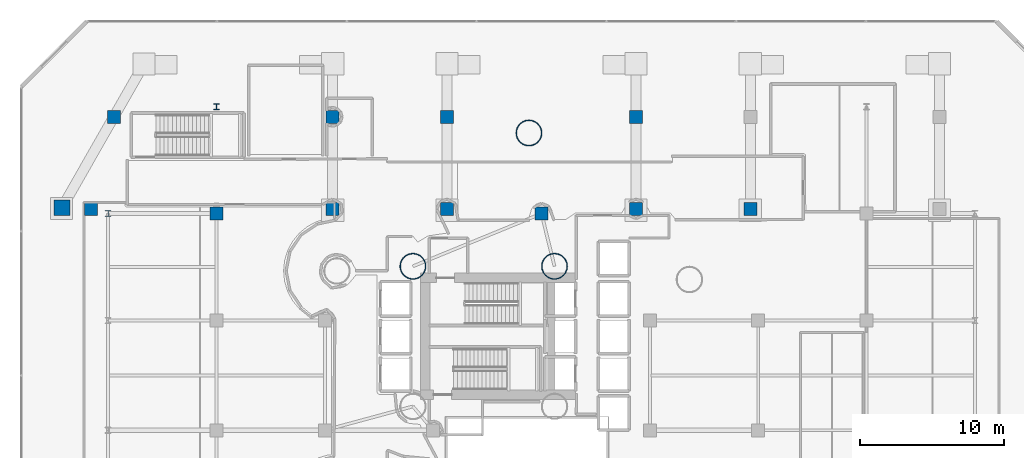
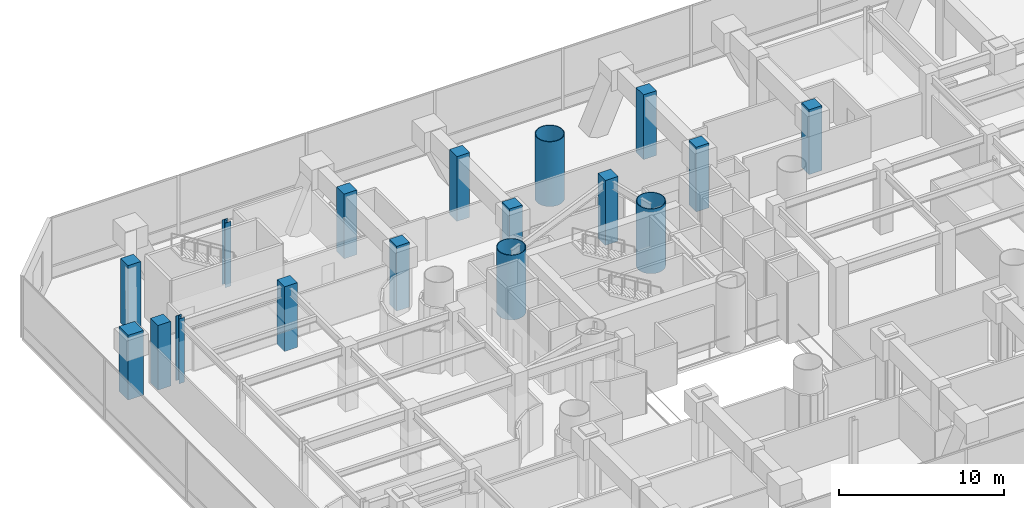
# One storey, part 3 of 45: 17 columns.
"""IFC4 building model written with IfcOpenShell, lengths in metres."""

from ifc_helpers import new_model, si_unit, direction, frame, origin, origin_2d, place, context, subcontext, project, spatial, rectangle, hollow_circle, i_section, extrude, material, material_profile, profile_set, type_object, element, save


model = new_model("IFC4")

# Units and contexts
model_context = context("Model", 3, precision=1e-05, world=origin(), true_north=direction((0.0, 1.0)))
body_context = subcontext(model_context, "Body", "Model", "MODEL_VIEW")
ifc_project = project(units=[si_unit("LENGTHUNIT", "METRE"), si_unit("AREAUNIT", "SQUARE_METRE"), si_unit("VOLUMEUNIT", "CUBIC_METRE"), si_unit("PLANEANGLEUNIT", "RADIAN"), si_unit("MASSUNIT", "GRAM", prefix="KILO")], contexts=[model_context])

# Site, building, storey
site_placement = place(None, origin())
site = spatial("IfcSite", under=ifc_project, at=site_placement, CompositionType="ELEMENT")
building_placement = place(site_placement, origin())
building = spatial("IfcBuilding", under=site, at=building_placement, Name="Qianvela Tower", CompositionType="ELEMENT")
storey_placement = place(building_placement, frame((0.0, 0.0, 11.0)))
storey = spatial("IfcBuildingStorey", under=building, at=storey_placement, Name="L02", CompositionType="ELEMENT", Elevation=11.0)

# Columns
ifc_material_1 = material(Name="Steel Q420GJC", Category="steel")
ifc_material_profile_1 = material_profile(ifc_material_1, hollow_circle(Radius=0.89990234375, WallThickness=0.044921875, at=origin_2d()), Name="CFT-1800x45")
ifc_profile_set_1 = profile_set([ifc_material_profile_1], Name="Steel Q420GJC")
column_type_1 = type_object("IfcColumnType", Name="COL-CFT-1800x45", PredefinedType="COLUMN", material=ifc_profile_set_1)
for number, where, z_axis, x_axis, name in (
    (1, (28.60009765625, 33.550048828125, 0.0), (0.0, 0.0, 1.0), (1.0, 0.0, 0.0), "L02 Core Corner Mega-Column CC-NW"),
    (2, (38.39990234375, 33.550048828125, 0.0), (0.0, 0.0, 1.0), (1.0, 0.0, 0.0), "L02 Core Corner Mega-Column CC-NE"),
    (3, (36.632080078125, 42.778076171875, 0.0), (0.0, 0.0, 1.0), (1.0, 0.0, 0.0), "L02 Tower Base CFT Mega-Column C3"),
):
    element("IfcColumn", number, at=place(storey_placement, frame(where, z_axis=z_axis, x_axis=x_axis)), inside=storey, type_object=column_type_1, Name=name, PredefinedType="COLUMN", context=body_context, shape_type="SweptSolid", body=[
        extrude(hollow_circle(Radius=0.89990234375, WallThickness=0.044921875, at=origin_2d()), origin(), (0.0, 0.0, 1.0), 4.800048828125),
    ])
ifc_material_2 = material(Name="Steel Q355B", Category="steel")
ifc_material_profile_2 = material_profile(ifc_material_2, i_section(OverallWidth=0.39990234375, OverallDepth=0.39990234375, WebThickness=0.012939453125, FlangeThickness=0.02099609375, at=origin_2d()), Name="HW400x400x13x21")
ifc_profile_set_2 = profile_set([ifc_material_profile_2], Name="Steel Q355B")
column_type_2 = type_object("IfcColumnType", Name="COL-HW-400", PredefinedType="COLUMN", material=ifc_profile_set_2)
for number, where, z_axis, x_axis, name in (
    (4, (7.5, 37.199951171875, 0.0), (0.0, 0.0, 1.0), (1.0, 0.0, 0.0), "L02 Podium Grid Column P04"),
    (5, (15.0, 44.60009765625, 0.0), (0.0, 0.0, 1.0), (1.0, 0.0, 0.0), "L02 Podium Grid Column P10"),
):
    element("IfcColumn", number, at=place(storey_placement, frame(where, z_axis=z_axis, x_axis=x_axis)), inside=storey, type_object=column_type_2, Name=name, PredefinedType="COLUMN", context=body_context, shape_type="SweptSolid", body=[
        extrude(i_section(OverallWidth=0.39990234375, OverallDepth=0.39990234375, WebThickness=0.012939453125, FlangeThickness=0.02099609375, at=origin_2d()), origin(), (0.0, 0.0, 1.0), 4.800048828125),
    ])
ifc_material_3 = material(Name="Concrete C60", Category="concrete")
ifc_material_profile_3 = material_profile(ifc_material_3, rectangle(XDim=1.10009765625, YDim=1.10009765625, at=origin_2d()), Name="RC-COL-1100x1100")
ifc_profile_set_3 = profile_set([ifc_material_profile_3], Name="Concrete C60")
column_type_3 = type_object("IfcColumnType", Name="COL-RC-1100", PredefinedType="COLUMN", material=ifc_profile_set_3)
column_placement = place(storey_placement, frame((4.302978515625, 37.60009765625, 0.0), z_axis=(0.0, 0.0, 1.0), x_axis=(1.0, 0.0, 0.0)))
element("IfcColumn", 6, at=column_placement, inside=storey, type_object=column_type_3, Name="L02 Concourse Back-Anchor Column VC-N1-L", PredefinedType="COLUMN", context=body_context, shape_type="SweptSolid", body=[
    extrude(rectangle(XDim=1.10009765625, YDim=1.10009765625, at=origin_2d()), origin(), (0.0, 0.0, 1.0), 4.800048828125),
])
ifc_material_4 = material(Name="Concrete C60", Category="concrete")
ifc_material_profile_4 = material_profile(ifc_material_4, rectangle(XDim=0.89990234375, YDim=0.89990234375, at=origin_2d()), Name="RC-COL-900x900")
ifc_profile_set_4 = profile_set([ifc_material_profile_4], Name="Concrete C60")
column_type_4 = type_object("IfcColumnType", Name="COL-RC-900", PredefinedType="COLUMN", material=ifc_profile_set_4)
for number, where, z_axis, x_axis, name in (
    (7, (7.89990234375, 43.89990234375, 0.0), (0.0, 0.0, 1.0), (1.0, 0.0, 0.0), "L02 Concourse Colonnade Column VC-N1-L-B1"),
    (8, (6.300048828125, 37.5, 0.0), (0.0, 0.0, 1.0), (1.0, 0.0, 0.0), "L02 Concourse Colonnade Column VC-N1-L-B2"),
    (9, (23.044677734375, 43.89990234375, 0.0), (0.0, 0.0, 1.0), (1.0, 0.0, 0.0), "L02 Concourse Colonnade Column VC-N1-R-B1"),
    (10, (23.044677734375, 37.5, 0.0), (0.0, 0.0, 1.0), (1.0, 0.0, 0.0), "L02 Concourse Colonnade Column VC-N1-R-B2"),
    (11, (30.955322265625, 43.89990234375, 0.0), (0.0, 0.0, 1.0), (1.0, 0.0, 0.0), "L02 Concourse Colonnade Column VC-N2-L-B1"),
    (12, (30.955322265625, 37.5, 0.0), (0.0, 0.0, 1.0), (1.0, 0.0, 0.0), "L02 Concourse Colonnade Column VC-N2-L-B2"),
    (13, (44.044677734375, 43.89990234375, 0.0), (0.0, 0.0, 1.0), (1.0, 0.0, 0.0), "L02 Concourse Colonnade Column VC-N2-R-B1"),
    (14, (44.044677734375, 37.5, 0.0), (0.0, 0.0, 1.0), (1.0, 0.0, 0.0), "L02 Concourse Colonnade Column VC-N2-R-B2"),
    (15, (51.955322265625, 37.5, 0.0), (0.0, 0.0, 1.0), (1.0, 0.0, 0.0), "L02 Concourse Colonnade Column VC-N3-L-B2"),
    (16, (15.0, 37.199951171875, 0.0), (0.0, 0.0, 1.0), (1.0, 0.0, 0.0), "L02 Podium Grid Column P09"),
    (17, (37.5, 37.199951171875, 0.0), (0.0, 0.0, 1.0), (1.0, 0.0, 0.0), "L02 Podium Grid Column P24"),
):
    element("IfcColumn", number, at=place(storey_placement, frame(where, z_axis=z_axis, x_axis=x_axis)), inside=storey, type_object=column_type_4, Name=name, PredefinedType="COLUMN", context=body_context, shape_type="SweptSolid", body=[
        extrude(rectangle(XDim=0.89990234375, YDim=0.89990234375, at=origin_2d()), origin(), (0.0, 0.0, 1.0), 4.800048828125),
    ])

save(model, "model.ifc")
